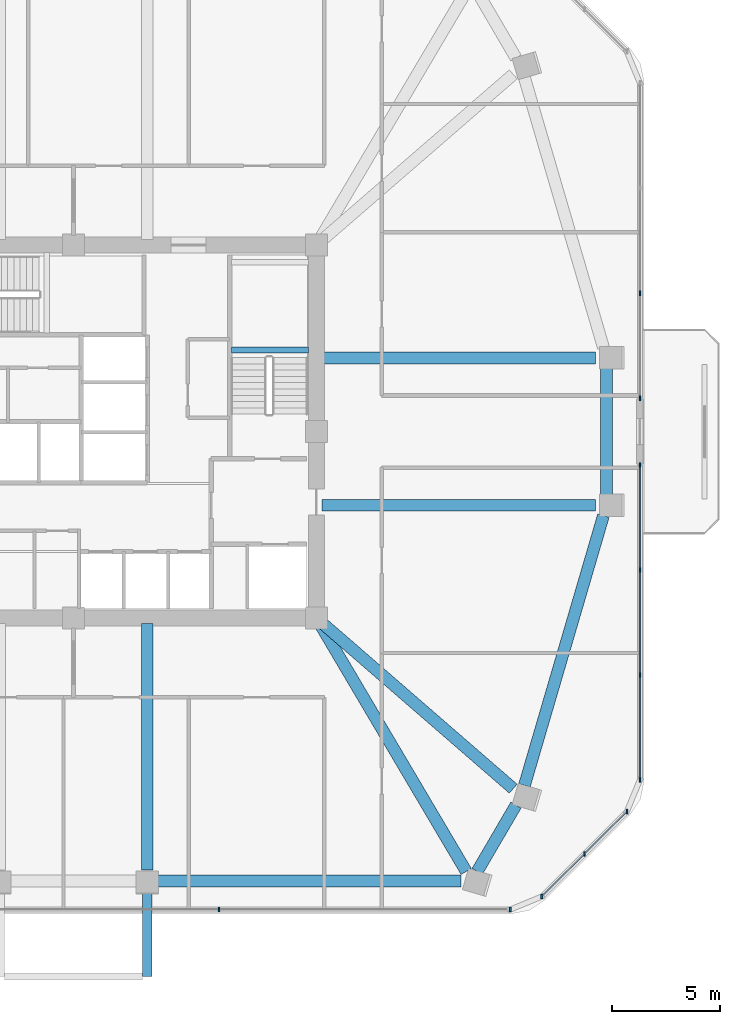
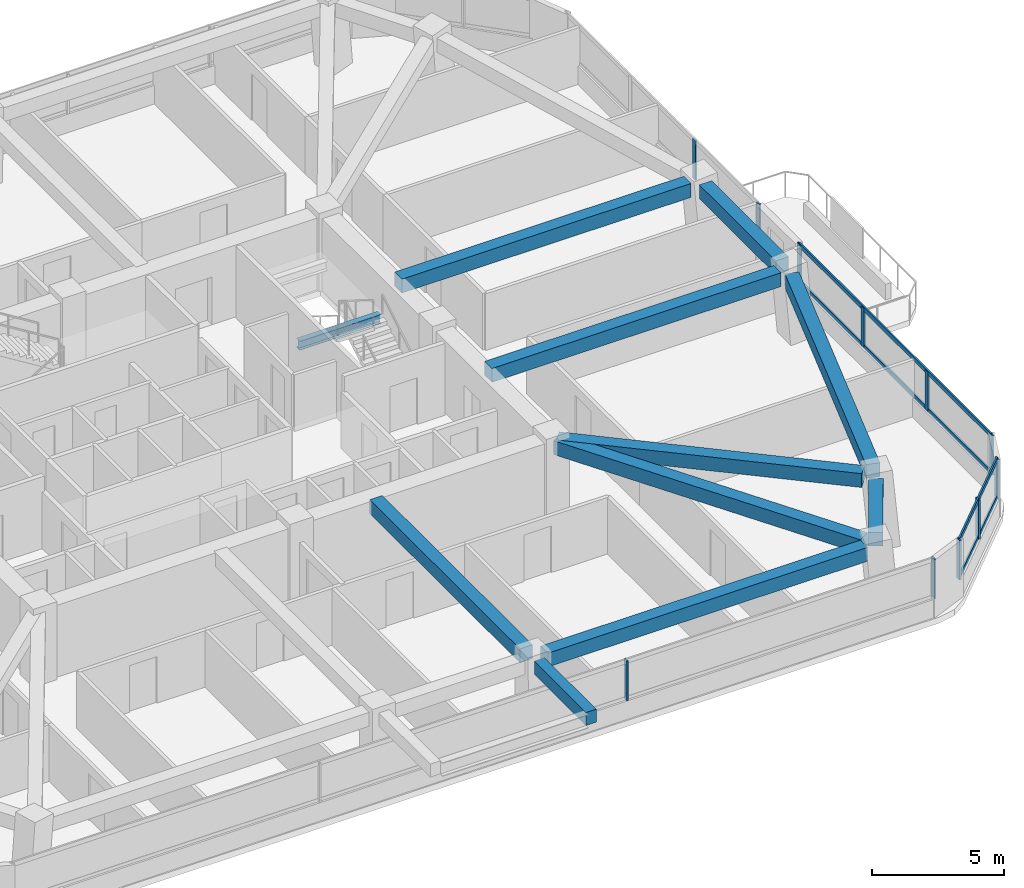
# One storey, part 5 of 14: 15 members, 11 beams, 4 elements without a shape of their own.
"""IFC4 building model written with IfcOpenShell, lengths in metres."""

import ifcopenshell
import ifcopenshell.guid

model = None  # the IFC model being written
_history = None  # IfcOwnerHistory: only IFC2X3 demands one
_inside = {}  # id of a spatial element -> (the spatial element, [elements in it])
_under = {}  # id of a project, library or spatial element -> (it, [spatial elements below it])
_declared = {}  # id of a project -> (the project, [libraries it declares])
_typed = {}  # id of a type object -> (the type object, [elements of that type])
_made_of = {}  # id of a material, layer set ... -> (it, [elements and type objects made of it])


def new_model(schema):
    """Start an empty IFC model of exactly this schema.

    Asked for "IFC4X3", IfcOpenShell would pick the latest addendum, in which some entities
    have other attributes; the version numbers below select the first issue.
    IFC2X3 requires an IfcOwnerHistory on every rooted entity: one is made here for all.
    """
    global model, _history
    if schema == "IFC4X3":
        model = ifcopenshell.file(schema_version=(4, 3, 0, 0))
    else:
        model = ifcopenshell.file(schema=schema)
    _inside.clear()
    _under.clear()
    _declared.clear()
    _typed.clear()
    _made_of.clear()
    _history = None
    if model.schema == "IFC2X3":
        org = make("IfcOrganization", Name="unknown")
        user = make(
            "IfcPersonAndOrganization",
            ThePerson=make("IfcPerson", FamilyName="unknown"),
            TheOrganization=org,
        )
        app = make(
            "IfcApplication",
            ApplicationDeveloper=org,
            Version="unknown",
            ApplicationFullName="unknown",
            ApplicationIdentifier="unknown",
        )
        _history = make(
            "IfcOwnerHistory",
            OwningUser=user,
            OwningApplication=app,
            ChangeAction="ADDED",
            CreationDate=0,
        )
    return model


def make(cls, **values):
    """One entity of the class cls with the attributes given. An attribute that is None is left unset."""
    return model.create_entity(
        cls, **{name: value for name, value in values.items() if value is not None}
    )


def rooted(cls, **values):
    """An entity with a GlobalId (a new one), such as an element, a storey or a relation."""
    return make(cls, GlobalId=ifcopenshell.guid.new(), OwnerHistory=_history, **values)


def si_unit(unit_type, name, prefix=None):
    """IfcSIUnit, for example si_unit("LENGTHUNIT", "METRE", prefix="MILLI")."""
    return make("IfcSIUnit", UnitType=unit_type, Prefix=prefix, Name=name)


def derived_unit(unit_type, elements):
    """IfcDerivedUnit: a product of units, each with its exponent."""
    return make(
        "IfcDerivedUnit",
        Elements=[
            make("IfcDerivedUnitElement", Unit=unit, Exponent=power)
            for unit, power in elements
        ],
        UnitType=unit_type,
    )


def assignment(units):
    """IfcUnitAssignment: the units of a project."""
    return None if units is None else make("IfcUnitAssignment", Units=units)


def point(xyz):
    """IfcCartesianPoint."""
    return None if xyz is None else make("IfcCartesianPoint", Coordinates=xyz)


def direction(xyz):
    """IfcDirection."""
    return None if xyz is None else make("IfcDirection", DirectionRatios=xyz)


def frame(location, z_axis=None, x_axis=None):
    """IfcAxis2Placement3D, a coordinate frame: its origin and axes. An axis left out is left unset."""
    return make(
        "IfcAxis2Placement3D",
        Location=point(location),
        Axis=direction(z_axis),
        RefDirection=direction(x_axis),
    )


def frame_2d(location, x_axis=None):
    """IfcAxis2Placement2D, a coordinate frame in the plane: its origin and x axis."""
    return make(
        "IfcAxis2Placement2D", Location=point(location), RefDirection=direction(x_axis)
    )


def origin():
    """The frame at (0, 0, 0) with its axes left unset."""
    return frame((0.0, 0.0, 0.0))


def origin_2d():
    """The frame at (0, 0) in the plane with its x axis left unset."""
    return frame_2d((0.0, 0.0))


def place(relative_to, where):
    """IfcLocalPlacement: puts the frame where relative to a parent placement (None: the world)."""
    return make(
        "IfcLocalPlacement", PlacementRelTo=relative_to, RelativePlacement=where
    )


def context(
    kind, dimensions, precision=None, world=None, true_north=None, identifier=None
):
    """IfcGeometricRepresentationContext, for example the 3D "Model" context."""
    return make(
        "IfcGeometricRepresentationContext",
        ContextIdentifier=identifier,
        ContextType=kind,
        CoordinateSpaceDimension=dimensions,
        Precision=precision,
        WorldCoordinateSystem=world,
        TrueNorth=true_north,
    )


def subcontext(parent, identifier, kind, view, scale=None):
    """IfcGeometricRepresentationSubContext, for example "Body" below "Model"."""
    return make(
        "IfcGeometricRepresentationSubContext",
        ContextIdentifier=identifier,
        ContextType=kind,
        ParentContext=parent,
        TargetScale=scale,
        TargetView=view,
    )


def project(units=None, contexts=None):
    """IfcProject with its units and contexts."""
    return rooted(
        "IfcProject",
        Name="project",
        RepresentationContexts=contexts,
        UnitsInContext=assignment(units),
    )


def spatial(cls, under=None, at=None, **own):
    """A site, building, storey or space (cls), placed at a placement, below another one or the project."""
    s = rooted(cls, ObjectPlacement=at, **own)
    if under is not None:
        _under.setdefault(under.id(), (under, []))[1].append(s)
    return s


def profile(cls, at=None, kind="AREA", **sizes):
    """A parametric profile (cls). Its sizes go by their IFC names, for example OverallWidth=200.0."""
    return make(cls, ProfileType=kind, Position=at, **sizes)


def rectangle(**sizes):
    """IfcRectangleProfileDef."""
    return profile("IfcRectangleProfileDef", **sizes)


def i_section(**sizes):
    """IfcIShapeProfileDef."""
    return profile("IfcIShapeProfileDef", **sizes)


def extrude(swept, where, along, depth):
    """IfcExtrudedAreaSolid: the profile swept, set in the frame where, extruded along a direction by depth."""
    return make(
        "IfcExtrudedAreaSolid",
        SweptArea=swept,
        Position=where,
        ExtrudedDirection=direction(along),
        Depth=depth,
    )


def shape(context_of_items, identifier, shape_type, items):
    """IfcShapeRepresentation: the items that make up one representation, for example the "Body"."""
    return make(
        "IfcShapeRepresentation",
        ContextOfItems=context_of_items,
        RepresentationIdentifier=identifier,
        RepresentationType=shape_type,
        Items=items,
    )


def material(Name=None, Category=None):
    """IfcMaterial."""
    return make("IfcMaterial", Name=Name, Category=Category)


def material_profile(
    of_material, cross_section, Name=None, Category=None, Priority=None
):
    """IfcMaterialProfile: a cross section and its material."""
    return make(
        "IfcMaterialProfile",
        Name=Name,
        Material=of_material,
        Profile=cross_section,
        Priority=Priority,
        Category=Category,
    )


def profile_set(profiles, Name=None, composite=None):
    """IfcMaterialProfileSet."""
    return make(
        "IfcMaterialProfileSet",
        Name=Name,
        MaterialProfiles=profiles,
        CompositeProfile=composite,
    )


def made_of(thing, what):
    """Note that an element or type object is made of a material, layer set ...; save() writes the relation."""
    if what is not None:
        _made_of.setdefault(what.id(), (what, []))[1].append(thing)
    return thing


def type_object(cls, material=None, **own):
    """A type object (cls), such as IfcWallType, which elements share."""
    return made_of(rooted(cls, **own), material)


def element(
    cls,
    number,
    at=None,
    inside=None,
    cuts=None,
    type_object=None,
    material=None,
    context=None,
    identifier="Body",
    shape_type=None,
    held_by="IfcProductDefinitionShape",
    body=None,
    shapes=None,
    **own,
):
    """One element of the class cls, such as IfcWall. Its Tag is "e" and its number.

    at: its placement. inside: the storey or other place that contains it. cuts: it is an
    opening in that element (IfcRelVoidsElement). A single representation is given by context,
    identifier, shape_type and body (its items); several are given by shapes. held_by: the class
    of the entity that holds the representations. save() writes the other relations.
    """
    e = rooted(cls, Tag="e%d" % number, ObjectPlacement=at, **own)
    if body is not None:
        shapes = [shape(context, identifier, shape_type, body)]
    if shapes is not None:
        e.Representation = make(held_by, Representations=shapes)
    if inside is not None:
        _inside.setdefault(inside.id(), (inside, []))[1].append(e)
    if cuts is not None:
        rooted(
            "IfcRelVoidsElement", RelatingBuildingElement=cuts, RelatedOpeningElement=e
        )
    if type_object is not None:
        _typed.setdefault(type_object.id(), (type_object, []))[1].append(e)
    return made_of(e, material)


def aggregate(whole, parts):
    """IfcRelAggregates: a whole, such as a stair, and the parts it consists of."""
    return rooted("IfcRelAggregates", RelatingObject=whole, RelatedObjects=parts)


def save(model, path):
    """Write the relations noted so far, then the file.

    IfcRelAggregates (storeys below a building ...), IfcRelContainedInSpatialStructure (elements
    in a storey), IfcRelDefinesByType, IfcRelAssociatesMaterial and IfcRelDeclares: one each for
    every whole, place, type object, material and project.
    """
    for whole, parts in _under.values():
        aggregate(whole, parts)
    for where, things in _inside.values():
        rooted(
            "IfcRelContainedInSpatialStructure",
            RelatedElements=things,
            RelatingStructure=where,
        )
    for kind, things in _typed.values():
        rooted("IfcRelDefinesByType", RelatedObjects=things, RelatingType=kind)
    for what, things in _made_of.values():
        rooted("IfcRelAssociatesMaterial", RelatedObjects=things, RelatingMaterial=what)
    for by, libraries in _declared.values():
        rooted("IfcRelDeclares", RelatingContext=by, RelatedDefinitions=libraries)
    model.write(path)


model = new_model("IFC4")

# Units and contexts
model_context = context("Model", 3, precision=1e-05, world=origin(), true_north=direction((0.0, 1.0)))
body_context = subcontext(model_context, "Body", "Model", "MODEL_VIEW")
ifc_project = project(units=[si_unit("LENGTHUNIT", "METRE"), si_unit("AREAUNIT", "SQUARE_METRE"), si_unit("VOLUMEUNIT", "CUBIC_METRE"), si_unit("PLANEANGLEUNIT", "RADIAN"), si_unit("MASSUNIT", "GRAM", prefix="KILO"), derived_unit("THERMALTRANSMITTANCEUNIT", [(si_unit("POWERUNIT", "WATT"), 1), (si_unit("LENGTHUNIT", "METRE"), -2), (si_unit("THERMODYNAMICTEMPERATUREUNIT", "KELVIN"), -1)])], contexts=[model_context])

# Site, building, storey
site_placement = place(None, origin())
site = spatial("IfcSite", under=ifc_project, at=site_placement, CompositionType="ELEMENT")
building_placement = place(site_placement, origin())
building = spatial("IfcBuilding", under=site, at=building_placement, Name="Koralith Skygarden Medical Center", CompositionType="ELEMENT")
storey_placement = place(building_placement, frame((0.0, 0.0, 95.580078125)))
storey = spatial("IfcBuildingStorey", under=building, at=storey_placement, Name="L24", CompositionType="ELEMENT", Elevation=95.580078125)

# Curtain wall, members
ifc_material_1 = material(Name="Clear Laminated Glass", Category="glass")
curtain_wall_type = type_object("IfcCurtainWallType", Name="CW-3 Zone 2 Faceted Solar Curtain Wall", PredefinedType="NOTDEFINED", material=ifc_material_1)
curtain_wall_1_placement = place(storey_placement, origin())
curtain_wall_1 = element("IfcCurtainWall", 1, at=curtain_wall_1_placement, inside=storey, type_object=curtain_wall_type, Name="Curtain Wall CW-L24-S", PredefinedType="NOTDEFINED")
ifc_material_2 = material(Name="Aluminium 6063-T6", Category="aluminium")
ifc_material_profile_1 = material_profile(ifc_material_2, rectangle(XDim=0.073974609375, YDim=0.219970703125, at=origin_2d()), Name="MUL74X220")
ifc_profile_set_1 = profile_set([ifc_material_profile_1], Name="Aluminium 6063-T6")
member_type_1 = type_object("IfcMemberType", Name="CW-3 Extruded Mullion 74x220", PredefinedType="MULLION", material=ifc_profile_set_1)
member_1_placement = place(storey_placement, frame((43.712890625, 3.85693359375, 0.849853515625), z_axis=(0.0, 0.0, 1.0), x_axis=(1.0, 0.0, 0.0)))
member_1 = element("IfcMember", 2, at=member_1_placement, type_object=member_type_1, Name="CW-L24-S Mullion 3", PredefinedType="MULLION", context=body_context, shape_type="SweptSolid", body=[
    extrude(rectangle(XDim=0.073974609375, YDim=0.219970703125, at=origin_2d()), origin(), (0.0, 0.0, 1.0), 1.820068359375),
])
member_2_placement = place(storey_placement, frame((57.139892578125, 3.85693359375, 0.849853515625), z_axis=(0.0, 0.0, 1.0), x_axis=(1.0, 0.0, 0.0)))
member_2 = element("IfcMember", 3, at=member_2_placement, type_object=member_type_1, Name="CW-L24-S Mullion 4", PredefinedType="MULLION", context=body_context, shape_type="SweptSolid", body=[
    extrude(rectangle(XDim=0.073974609375, YDim=0.219970703125, at=origin_2d()), origin(), (0.0, 0.0, 1.0), 1.820068359375),
])
aggregate(curtain_wall_1, [member_1, member_2])

curtain_wall_2_placement = place(storey_placement, origin())
curtain_wall_2 = element("IfcCurtainWall", 4, at=curtain_wall_2_placement, inside=storey, type_object=curtain_wall_type, Name="Curtain Wall CW-L24-SE", PredefinedType="NOTDEFINED")
member_3_placement = place(storey_placement, frame((58.591064453125, 4.4580078125, 0.849853515625), z_axis=(0.0, 0.0, 1.0), x_axis=(1.0, 0.0, 0.0)))
member_3 = element("IfcMember", 5, at=member_3_placement, type_object=member_type_1, Name="CW-L24-SE Mullion 1", PredefinedType="MULLION", context=body_context, shape_type="SweptSolid", body=[
    extrude(rectangle(XDim=0.073974609375, YDim=0.219970703125, at=origin_2d()), origin(), (0.0, 0.0, 1.0), 1.820068359375),
])
member_4_placement = place(storey_placement, frame((60.552978515625, 6.419921875, 0.849853515625), z_axis=(0.0, 0.0, 1.0), x_axis=(1.0, 0.0, 0.0)))
member_4 = element("IfcMember", 6, at=member_4_placement, type_object=member_type_1, Name="CW-L24-SE Mullion 2", PredefinedType="MULLION", context=body_context, shape_type="SweptSolid", body=[
    extrude(rectangle(XDim=0.073974609375, YDim=0.219970703125, at=origin_2d()), origin(), (0.0, 0.0, 1.0), 1.820068359375),
])
member_5_placement = place(storey_placement, frame((62.513916015625, 8.381103515625, 0.849853515625), z_axis=(0.0, 0.0, 1.0), x_axis=(1.0, 0.0, 0.0)))
member_5 = element("IfcMember", 7, at=member_5_placement, type_object=member_type_1, Name="CW-L24-SE Mullion 3", PredefinedType="MULLION", context=body_context, shape_type="SweptSolid", body=[
    extrude(rectangle(XDim=0.073974609375, YDim=0.219970703125, at=origin_2d()), origin(), (0.0, 0.0, 1.0), 1.820068359375),
])

curtain_wall_3_placement = place(storey_placement, origin())
curtain_wall_3 = element("IfcCurtainWall", 8, at=curtain_wall_3_placement, inside=storey, type_object=curtain_wall_type, Name="Curtain Wall CW-L24-E-L", PredefinedType="NOTDEFINED")
member_6_placement = place(storey_placement, frame((63.114990234375, 9.83203125, 0.849853515625), z_axis=(0.0, 0.0, 1.0), x_axis=(1.0, 0.0, 0.0)))
member_6 = element("IfcMember", 9, at=member_6_placement, type_object=member_type_1, Name="CW-L24-E-L Mullion 1", PredefinedType="MULLION", context=body_context, shape_type="SweptSolid", body=[
    extrude(rectangle(XDim=0.073974609375, YDim=0.219970703125, at=origin_2d()), origin(), (0.0, 0.0, 1.0), 1.820068359375),
])
member_7_placement = place(storey_placement, frame((63.114990234375, 14.674072265625, 0.849853515625), z_axis=(0.0, 0.0, 1.0), x_axis=(1.0, 0.0, 0.0)))
member_7 = element("IfcMember", 10, at=member_7_placement, type_object=member_type_1, Name="CW-L24-E-L Mullion 2", PredefinedType="MULLION", context=body_context, shape_type="SweptSolid", body=[
    extrude(rectangle(XDim=0.073974609375, YDim=0.219970703125, at=origin_2d()), origin(), (0.0, 0.0, 1.0), 1.820068359375),
])
member_8_placement = place(storey_placement, frame((63.114990234375, 19.51708984375, 0.849853515625), z_axis=(0.0, 0.0, 1.0), x_axis=(1.0, 0.0, 0.0)))
member_8 = element("IfcMember", 11, at=member_8_placement, type_object=member_type_1, Name="CW-L24-E-L Mullion 3", PredefinedType="MULLION", context=body_context, shape_type="SweptSolid", body=[
    extrude(rectangle(XDim=0.073974609375, YDim=0.219970703125, at=origin_2d()), origin(), (0.0, 0.0, 1.0), 1.820068359375),
])
member_9_placement = place(storey_placement, frame((63.114990234375, 24.35888671875, 0.849853515625), z_axis=(0.0, 0.0, 1.0), x_axis=(1.0, 0.0, 0.0)))
member_9 = element("IfcMember", 12, at=member_9_placement, type_object=member_type_1, Name="CW-L24-E-L Mullion 4", PredefinedType="MULLION", context=body_context, shape_type="SweptSolid", body=[
    extrude(rectangle(XDim=0.073974609375, YDim=0.219970703125, at=origin_2d()), origin(), (0.0, 0.0, 1.0), 1.820068359375),
])

curtain_wall_4_placement = place(storey_placement, origin())
curtain_wall_4 = element("IfcCurtainWall", 13, at=curtain_wall_4_placement, inside=storey, type_object=curtain_wall_type, Name="Curtain Wall CW-L24-E-R", PredefinedType="NOTDEFINED")
member_10_placement = place(storey_placement, frame((63.114990234375, 27.43896484375, 0.849853515625), z_axis=(0.0, 0.0, 1.0), x_axis=(1.0, 0.0, 0.0)))
member_10 = element("IfcMember", 14, at=member_10_placement, type_object=member_type_1, Name="CW-L24-E-R Mullion 1", PredefinedType="MULLION", context=body_context, shape_type="SweptSolid", body=[
    extrude(rectangle(XDim=0.073974609375, YDim=0.219970703125, at=origin_2d()), origin(), (0.0, 0.0, 1.0), 1.820068359375),
])
member_11_placement = place(storey_placement, frame((63.114990234375, 32.281982421875, 0.849853515625), z_axis=(0.0, 0.0, 1.0), x_axis=(1.0, 0.0, 0.0)))
member_11 = element("IfcMember", 15, at=member_11_placement, type_object=member_type_1, Name="CW-L24-E-R Mullion 2", PredefinedType="MULLION", context=body_context, shape_type="SweptSolid", body=[
    extrude(rectangle(XDim=0.073974609375, YDim=0.219970703125, at=origin_2d()), origin(), (0.0, 0.0, 1.0), 1.820068359375),
])
aggregate(curtain_wall_4, [member_10, member_11])

# Member
ifc_material_profile_2 = material_profile(ifc_material_2, rectangle(XDim=0.069091796875, YDim=0.197998046875, at=origin_2d()), Name="TRN69X198")
ifc_profile_set_2 = profile_set([ifc_material_profile_2], Name="Aluminium 6063-T6")
member_type_2 = type_object("IfcMemberType", Name="CW-3 Thermal Transom 69x198", PredefinedType="USERDEFINED", material=ifc_profile_set_2)
member_12_placement = place(storey_placement, frame((58.591064453125, 4.4580078125, 0.89990234375), z_axis=(0.707084777957, 0.707128783731, 0.0), x_axis=(-0.707128783731, 0.707084777957, 0.0)))
member_12 = element("IfcMember", 16, at=member_12_placement, type_object=member_type_2, Name="CW-L24-SE Transom 1", ObjectType="TRANSOM", PredefinedType="USERDEFINED", context=body_context, shape_type="SweptSolid", body=[
    extrude(rectangle(XDim=0.069091796875, YDim=0.197998046875, at=origin_2d()), origin(), (0.0, 0.0, 1.0), 5.5478515625),
])

member_13_placement = place(storey_placement, frame((58.591064453125, 4.4580078125, 2.619873046875), z_axis=(0.707084777957, 0.707128783731, 0.0), x_axis=(-0.707128783731, 0.707084777957, 0.0)))
member_13 = element("IfcMember", 17, at=member_13_placement, type_object=member_type_2, Name="CW-L24-SE Transom 2", ObjectType="TRANSOM", PredefinedType="USERDEFINED", context=body_context, shape_type="SweptSolid", body=[
    extrude(rectangle(XDim=0.069091796875, YDim=0.197998046875, at=origin_2d()), origin(), (0.0, 0.0, 1.0), 5.5478515625),
])

aggregate(curtain_wall_2, [member_3, member_4, member_5, member_12, member_13])

member_14_placement = place(storey_placement, frame((63.114990234375, 9.83203125, 0.89990234375), z_axis=(0.0, 1.0, 0.0), x_axis=(-1.0, 0.0, 0.0)))
member_14 = element("IfcMember", 18, at=member_14_placement, type_object=member_type_2, Name="CW-L24-E-L Transom 1", ObjectType="TRANSOM", PredefinedType="USERDEFINED", context=body_context, shape_type="SweptSolid", body=[
    extrude(rectangle(XDim=0.069091796875, YDim=0.197998046875, at=origin_2d()), origin(), (0.0, 0.0, 1.0), 14.52685546875),
])

member_15_placement = place(storey_placement, frame((63.114990234375, 9.83203125, 2.619873046875), z_axis=(0.0, 1.0, 0.0), x_axis=(-1.0, 0.0, 0.0)))
member_15 = element("IfcMember", 19, at=member_15_placement, type_object=member_type_2, Name="CW-L24-E-L Transom 2", ObjectType="TRANSOM", PredefinedType="USERDEFINED", context=body_context, shape_type="SweptSolid", body=[
    extrude(rectangle(XDim=0.069091796875, YDim=0.197998046875, at=origin_2d()), origin(), (0.0, 0.0, 1.0), 14.52685546875),
])

aggregate(curtain_wall_3, [member_6, member_7, member_8, member_9, member_14, member_15])

# Beams
ifc_material_3 = material(Name="Steel ASTM A992 Grade 50", Category="steel")
ifc_material_profile_3 = material_profile(ifc_material_3, i_section(OverallWidth=0.260009765625, OverallDepth=0.4150390625, WebThickness=0.010009765625, FlangeThickness=0.016845703125, at=origin_2d()), Name="W16X67")
ifc_profile_set_3 = profile_set([ifc_material_profile_3], Name="Steel ASTM A992 Grade 50")
beam_type_1 = type_object("IfcBeamType", Name="Clinical Floor Joist W16X67", PredefinedType="JOIST", material=ifc_profile_set_3)
beam_1_placement = place(storey_placement, frame((44.280029296875, 29.659912109375, 1.391845703125), z_axis=(1.0, 0.0, 0.0), x_axis=(0.0, 1.0, 0.0)))
element("IfcBeam", 20, at=beam_1_placement, inside=storey, type_object=beam_type_1, Name="L24 Stair ST2 Half-Landing Support Beam 1A", PredefinedType="JOIST", context=body_context, shape_type="SweptSolid", body=[
    extrude(i_section(OverallWidth=0.260009765625, OverallDepth=0.4150390625, WebThickness=0.010009765625, FlangeThickness=0.016845703125, at=origin_2d()), origin(), (0.0, 0.0, 1.0), 3.56494140625),
])
ifc_material_4 = material(Name="Concrete C45/55", Category="concrete")
ifc_material_profile_4 = material_profile(ifc_material_4, rectangle(XDim=0.449951171875, YDim=0.60009765625, at=origin_2d()), Name="RCB450X600")
ifc_profile_set_4 = profile_set([ifc_material_profile_4], Name="Concrete C45/55")
beam_type_2 = type_object("IfcBeamType", Name="Planted Balcony Cantilever Beam RCB450X600", PredefinedType="BEAM", material=ifc_profile_set_4)
beam_2_placement = place(storey_placement, frame((40.39990234375, 4.695068359375, 3.0400390625), z_axis=(0.0, -1.0, 0.0), x_axis=(1.0, 0.0, 0.0)))
element("IfcBeam", 21, at=beam_2_placement, inside=storey, type_object=beam_type_2, Name="L25 S Balcony Cantilever Beam B", PredefinedType="BEAM", context=body_context, shape_type="SweptSolid", body=[
    extrude(rectangle(XDim=0.449951171875, YDim=0.60009765625, at=origin_2d()), origin(), (0.0, 0.0, 1.0), 3.920166015625),
])
ifc_material_profile_5 = material_profile(ifc_material_4, rectangle(XDim=0.550048828125, YDim=0.639892578125, at=origin_2d()), Name="RCB550X640")
ifc_profile_set_5 = profile_set([ifc_material_profile_5], Name="Concrete C45/55")
beam_type_3 = type_object("IfcBeamType", Name="Radial Collector Beam RCB550X640", PredefinedType="BEAM", material=ifc_profile_set_5)
beam_3_placement = place(storey_placement, frame((40.39990234375, 17.050048828125, 3.0), z_axis=(0.0, -1.0, 0.0), x_axis=(1.0, 0.0, 0.0)))
element("IfcBeam", 22, at=beam_3_placement, inside=storey, type_object=beam_type_3, Name="L24 Radial Collector Beam RB-05", PredefinedType="BEAM", context=body_context, shape_type="SweptSolid", body=[
    extrude(rectangle(XDim=0.550048828125, YDim=0.639892578125, at=origin_2d()), origin(), (0.0, 0.0, 1.0), 11.364990234375),
])
beam_4_placement = place(storey_placement, frame((48.326904296875, 17.0849609375, 3.0), z_axis=(0.508858327637, -0.860850278733, 0.0), x_axis=(0.860850278733, 0.508858327637, 0.0)))
element("IfcBeam", 23, at=beam_4_placement, inside=storey, type_object=beam_type_3, Name="L24 Radial Collector Beam RB-06", PredefinedType="BEAM", context=body_context, shape_type="SweptSolid", body=[
    extrude(rectangle(XDim=0.550048828125, YDim=0.639892578125, at=origin_2d()), origin(), (0.0, 0.0, 1.0), 13.323974609375),
])
beam_5_placement = place(storey_placement, frame((48.388916015625, 17.135986328125, 3.0), z_axis=(0.755617839439, -0.655012733251, 0.0), x_axis=(0.655012733251, 0.755617839439, 0.0)))
element("IfcBeam", 24, at=beam_5_placement, inside=storey, type_object=beam_type_3, Name="L24 Radial Collector Beam RB-07", PredefinedType="BEAM", context=body_context, shape_type="SweptSolid", body=[
    extrude(rectangle(XDim=0.550048828125, YDim=0.639892578125, at=origin_2d()), origin(), (0.0, 0.0, 1.0), 11.760009765625),
])
for number, where, z_axis, x_axis, name in (
    (25, (48.449951171875, 22.5, 3.0), (1.0, 0.0, 0.0), (0.0, 1.0, 0.0), "L24 Radial Collector Beam RB-08"),
    (26, (48.449951171875, 29.300048828125, 3.0), (1.0, 0.0, 0.0), (0.0, 1.0, 0.0), "L24 Radial Collector Beam RB-09"),
):
    element("IfcBeam", number, at=place(storey_placement, frame(where, z_axis=z_axis, x_axis=x_axis)), inside=storey, type_object=beam_type_3, Name=name, PredefinedType="BEAM", context=body_context, shape_type="SweptSolid", body=[
        extrude(rectangle(XDim=0.550048828125, YDim=0.639892578125, at=origin_2d()), origin(), (0.0, 0.0, 1.0), 12.623046875),
    ])
ifc_material_profile_6 = material_profile(ifc_material_4, rectangle(XDim=0.550048828125, YDim=0.639892578125, at=origin_2d()), Name="RCB550X640")
ifc_profile_set_6 = profile_set([ifc_material_profile_6], Name="Concrete C45/55")
beam_type_4 = type_object("IfcBeamType", Name="Zone 2-3 Spandrel Beam RCB550X640", PredefinedType="SPANDREL", material=ifc_profile_set_6)
beam_6_placement = place(storey_placement, frame((40.89990234375, 5.18505859375, 3.0), z_axis=(1.0, 0.0, 0.0), x_axis=(0.0, 1.0, 0.0)))
element("IfcBeam", 27, at=beam_6_placement, inside=storey, type_object=beam_type_4, Name="L24 Perimeter Spandrel Beam SP-05", PredefinedType="SPANDREL", context=body_context, shape_type="SweptSolid", body=[
    extrude(rectangle(XDim=0.550048828125, YDim=0.639892578125, at=origin_2d()), origin(), (0.0, 0.0, 1.0), 13.961181640625),
])
beam_7_placement = place(storey_placement, frame((55.613037109375, 5.616943359375, 3.0), z_axis=(0.504822258312, 0.863223312656, 0.0), x_axis=(-0.863223312656, 0.504822258312, 0.0)))
element("IfcBeam", 28, at=beam_7_placement, inside=storey, type_object=beam_type_4, Name="L24 Perimeter Spandrel Beam SP-06", PredefinedType="SPANDREL", context=body_context, shape_type="SweptSolid", body=[
    extrude(rectangle(XDim=0.550048828125, YDim=0.639892578125, at=origin_2d()), origin(), (0.0, 0.0, 1.0), 3.54150390625),
])
beam_8_placement = place(storey_placement, frame((57.79296875, 9.5859375, 3.0), z_axis=(0.280962253951, 0.959718819163, 0.0), x_axis=(-0.959718819163, 0.280962253951, 0.0)))
element("IfcBeam", 29, at=beam_8_placement, inside=storey, type_object=beam_type_4, Name="L24 Perimeter Spandrel Beam SP-07", PredefinedType="SPANDREL", context=body_context, shape_type="SweptSolid", body=[
    extrude(rectangle(XDim=0.550048828125, YDim=0.639892578125, at=origin_2d()), origin(), (0.0, 0.0, 1.0), 12.9560546875),
])
beam_9_placement = place(storey_placement, frame((61.572998046875, 23.0, 3.0), z_axis=(0.0, 1.0, 0.0), x_axis=(-1.0, 0.0, 0.0)))
element("IfcBeam", 30, at=beam_9_placement, inside=storey, type_object=beam_type_4, Name="L24 Perimeter Spandrel Beam SP-08", PredefinedType="SPANDREL", context=body_context, shape_type="SweptSolid", body=[
    extrude(rectangle(XDim=0.550048828125, YDim=0.639892578125, at=origin_2d()), origin(), (0.0, 0.0, 1.0), 5.800048828125),
])

save(model, "model.ifc")
